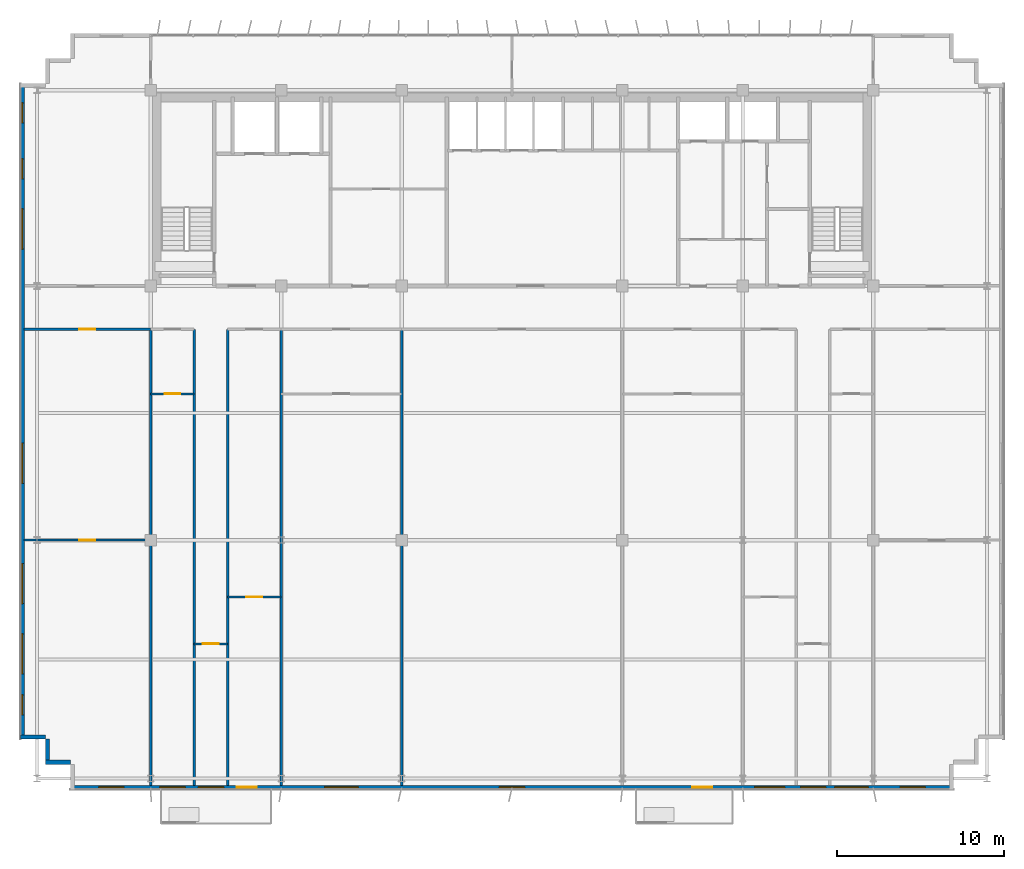
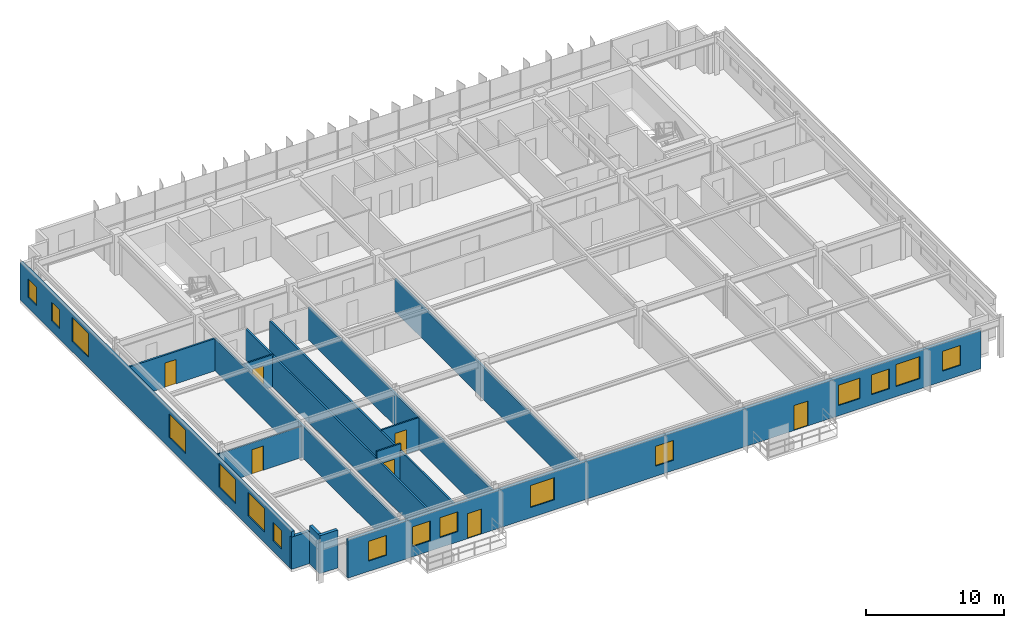
# One storey, part 14 of 20: 16 windows, 15 walls, 7 doors, 23 openings.
"""IFC4 building model written with IfcOpenShell, lengths in metres."""

from ifc_helpers import new_model, si_unit, direction, frame, frame_2d, origin, place, context, subcontext, project, spatial, rectangle, extrude, source, transform, mapped, material, layer, layer_set, type_object, element, fill, save


model = new_model("IFC4")

# Units and contexts
model_context = context("Model", 3, precision=1e-05, world=origin(), true_north=direction((0.0, 1.0)))
body_context = subcontext(model_context, "Body", "Model", "MODEL_VIEW")
ifc_project = project(units=[si_unit("LENGTHUNIT", "METRE"), si_unit("AREAUNIT", "SQUARE_METRE"), si_unit("VOLUMEUNIT", "CUBIC_METRE"), si_unit("PLANEANGLEUNIT", "RADIAN"), si_unit("MASSUNIT", "GRAM", prefix="KILO")], contexts=[model_context])

# Site, building, storey
site_placement = place(None, origin())
site = spatial("IfcSite", under=ifc_project, at=site_placement, CompositionType="ELEMENT")
building_placement = place(site_placement, origin())
building = spatial("IfcBuilding", under=site, at=building_placement, Name="Trelvane Seafront Commons", CompositionType="ELEMENT")
storey_placement = place(building_placement, frame((0.0, 0.0, 142.89990234375)))
storey = spatial("IfcBuildingStorey", under=building, at=storey_placement, Name="L37", CompositionType="ELEMENT", Elevation=142.89990234375)

# Walls
ifc_material_1 = material(Name="Precast concrete C40/50", Category="concrete")
ifc_layer_1 = layer(ifc_material_1, 0.239990234375, Name="ARCH-WALL-EXT240")
ifc_layer_set_1 = layer_set([ifc_layer_1], Name="Precast concrete C40/50")
wall_type_1 = type_object("IfcWallType", Name="ARCH-WALL-EXT240", PredefinedType="SOLIDWALL", material=ifc_layer_set_1)
for number, where, z_axis, x_axis, name in (
    (1, (10.800048828125, 4.919921875, 0.0), (0.0, 0.0, 1.0), (-1.0, 0.0, 0.0), "EW-L37-00718"),
    (2, (9.419921875, 4.800048828125, 0.0), (0.0, 0.0, 1.0), (0.0, 1.0, 0.0), "EW-L37-00719"),
):
    element("IfcWall", number, at=place(storey_placement, frame(where, z_axis=z_axis, x_axis=x_axis)), inside=storey, type_object=wall_type_1, Name=name, PredefinedType="SOLIDWALL", context=body_context, shape_type="SweptSolid", body=[
        extrude(rectangle(XDim=1.5, YDim=0.239990234375, at=frame_2d((0.75, 0.0))), origin(), (0.0, 0.0, 1.0), 3.35009765625),
    ])
wall_1_placement = place(storey_placement, frame((9.300048828125, 6.419921875, 0.0), z_axis=(0.0, 0.0, 1.0), x_axis=(-1.0, 0.0, 0.0)))
element("IfcWall", 3, at=wall_1_placement, inside=storey, type_object=wall_type_1, Name="EW-L37-00720", PredefinedType="SOLIDWALL", context=body_context, shape_type="SweptSolid", body=[
    extrude(rectangle(XDim=1.5, YDim=0.239990234375, at=frame_2d((0.75, 0.0))), origin(), (0.0, 0.0, 1.0), 2.85009765625),
])

# Wall, openings, windows
wall_2_placement = place(storey_placement, frame((7.919921875, 6.300048828125, 0.0), z_axis=(0.0, 0.0, 1.0), x_axis=(0.0, 1.0, 0.0)))
wall_2 = element("IfcWall", 4, at=wall_2_placement, inside=storey, type_object=wall_type_1, Name="EW-L37-00721", PredefinedType="SOLIDWALL", context=body_context, shape_type="SweptSolid", body=[
    extrude(rectangle(XDim=39.199951171875, YDim=0.239990234375, at=frame_2d((19.60009765625, 0.0))), origin(), (0.0, 0.0, 1.0), 3.35009765625),
])
opening_1_placement = place(wall_2_placement, frame((1.449951171875, 0.0, 0.919921875)))
opening_1 = element("IfcOpeningElement", 5, at=opening_1_placement, cuts=wall_2, Name="Opening W05", PredefinedType="OPENING", context=body_context, shape_type="SweptSolid", body=[
    extrude(rectangle(XDim=1.199951171875, YDim=1.64990234375, at=frame_2d((0.60009765625, 0.824951171875))), frame((0.0, 0.1298828125, 0.0), z_axis=(0.0, -1.0, 0.0), x_axis=(1.0, 0.0, 0.0)), (0.0, 0.0, 1.0), 0.260009765625),
])
opening_2_placement = place(wall_2_placement, frame((3.89990234375, 0.0, 0.919921875)))
opening_2 = element("IfcOpeningElement", 6, at=opening_2_placement, cuts=wall_2, Name="Opening W08", PredefinedType="OPENING", context=body_context, shape_type="SweptSolid", body=[
    extrude(rectangle(XDim=2.39990234375, YDim=2.10009765625, at=frame_2d((1.199951171875, 1.050048828125))), frame((0.0, 0.1298828125, 0.0), z_axis=(0.0, -1.0, 0.0), x_axis=(1.0, 0.0, 0.0)), (0.0, 0.0, 1.0), 0.260009765625),
])
opening_3_placement = place(wall_2_placement, frame((8.10009765625, 0.0, 0.919921875)))
opening_3 = element("IfcOpeningElement", 7, at=opening_3_placement, cuts=wall_2, Name="Opening W08", PredefinedType="OPENING", context=body_context, shape_type="SweptSolid", body=[
    extrude(rectangle(XDim=2.39990234375, YDim=2.10009765625, at=frame_2d((1.199951171875, 1.050048828125))), frame((0.0, 0.1298828125, 0.0), z_axis=(0.0, -1.0, 0.0), x_axis=(1.0, 0.0, 0.0)), (0.0, 0.0, 1.0), 0.260009765625),
])
opening_4_placement = place(wall_2_placement, frame((15.300048828125, 0.0, 0.919921875)))
opening_4 = element("IfcOpeningElement", 8, at=opening_4_placement, cuts=wall_2, Name="Opening W08", PredefinedType="OPENING", context=body_context, shape_type="SweptSolid", body=[
    extrude(rectangle(XDim=2.39990234375, YDim=2.10009765625, at=frame_2d((1.199951171875, 1.050048828125))), frame((0.0, 0.1298828125, 0.0), z_axis=(0.0, -1.0, 0.0), x_axis=(1.0, 0.0, 0.0)), (0.0, 0.0, 1.0), 0.260009765625),
])
opening_5_placement = place(wall_2_placement, frame((29.300048828125, 0.0, 0.919921875)))
opening_5 = element("IfcOpeningElement", 9, at=opening_5_placement, cuts=wall_2, Name="Opening W08", PredefinedType="OPENING", context=body_context, shape_type="SweptSolid", body=[
    extrude(rectangle(XDim=2.39990234375, YDim=2.10009765625, at=frame_2d((1.199951171875, 1.050048828125))), frame((0.0, 0.1298828125, 0.0), z_axis=(0.0, -1.0, 0.0), x_axis=(1.0, 0.0, 0.0)), (0.0, 0.0, 1.0), 0.260009765625),
])
opening_6_placement = place(wall_2_placement, frame((33.5, 0.0, 0.919921875)))
opening_6 = element("IfcOpeningElement", 10, at=opening_6_placement, cuts=wall_2, Name="Opening W05", PredefinedType="OPENING", context=body_context, shape_type="SweptSolid", body=[
    extrude(rectangle(XDim=1.199951171875, YDim=1.64990234375, at=frame_2d((0.60009765625, 0.824951171875))), frame((0.0, 0.1298828125, 0.0), z_axis=(0.0, -1.0, 0.0), x_axis=(1.0, 0.0, 0.0)), (0.0, 0.0, 1.0), 0.260009765625),
])
opening_7_placement = place(wall_2_placement, frame((36.85009765625, 0.0, 0.919921875)))
opening_7 = element("IfcOpeningElement", 11, at=opening_7_placement, cuts=wall_2, Name="Opening W05", PredefinedType="OPENING", context=body_context, shape_type="SweptSolid", body=[
    extrude(rectangle(XDim=1.199951171875, YDim=1.64990234375, at=frame_2d((0.60009765625, 0.824951171875))), frame((0.0, 0.1298828125, 0.0), z_axis=(0.0, -1.0, 0.0), x_axis=(1.0, 0.0, 0.0)), (0.0, 0.0, 1.0), 0.260009765625),
])
ifc_material_2 = material(Name="Low-E coastal double glazing", Category="glass")
window_type_1 = type_object("IfcWindowType", Name="ARCH-WIN-W08", PartitioningType="SINGLE_PANEL", PredefinedType="WINDOW", material=ifc_material_2)
shared_shape_1 = source(origin(), body_context, "Body", "SweptSolid", [
    extrude(rectangle(XDim=2.39990234375, YDim=2.10009765625, at=frame_2d((1.199951171875, 1.050048828125))), frame((0.0, 0.030029296875, 0.0), z_axis=(0.0, -1.0, 0.0), x_axis=(1.0, 0.0, 0.0)), (0.0, 0.0, 1.0), 0.06005859375),
])
window_1_placement = place(opening_2_placement, origin())
window_1 = element("IfcWindow", 12, at=window_1_placement, inside=storey, type_object=window_type_1, Name="WIN-L37-EW-00853", OverallHeight=2.10009765625, OverallWidth=2.39990234375, PartitioningType="SINGLE_PANEL", PredefinedType="WINDOW", context=body_context, shape_type="MappedRepresentation", body=[
    mapped(shared_shape_1, transform((0.0, 0.0, 0.0), x_axis=(1.0, 0.0, 0.0), y_axis=(0.0, 1.0, 0.0), z_axis=(0.0, 0.0, 1.0), scale=1.0)),
])
fill(opening_2, window_1)
window_2_placement = place(opening_3_placement, origin())
window_2 = element("IfcWindow", 13, at=window_2_placement, inside=storey, type_object=window_type_1, Name="WIN-L37-EW-00854", OverallHeight=2.10009765625, OverallWidth=2.39990234375, PartitioningType="SINGLE_PANEL", PredefinedType="WINDOW", context=body_context, shape_type="MappedRepresentation", body=[
    mapped(shared_shape_1, transform((0.0, 0.0, 0.0), x_axis=(1.0, 0.0, 0.0), y_axis=(0.0, 1.0, 0.0), z_axis=(0.0, 0.0, 1.0), scale=1.0)),
])
fill(opening_3, window_2)
window_3_placement = place(opening_4_placement, origin())
window_3 = element("IfcWindow", 14, at=window_3_placement, inside=storey, type_object=window_type_1, Name="WIN-L37-EW-00855", OverallHeight=2.10009765625, OverallWidth=2.39990234375, PartitioningType="SINGLE_PANEL", PredefinedType="WINDOW", context=body_context, shape_type="MappedRepresentation", body=[
    mapped(shared_shape_1, transform((0.0, 0.0, 0.0), x_axis=(1.0, 0.0, 0.0), y_axis=(0.0, 1.0, 0.0), z_axis=(0.0, 0.0, 1.0), scale=1.0)),
])
fill(opening_4, window_3)
window_4_placement = place(opening_5_placement, origin())
window_4 = element("IfcWindow", 15, at=window_4_placement, inside=storey, type_object=window_type_1, Name="WIN-L37-EW-00856", OverallHeight=2.10009765625, OverallWidth=2.39990234375, PartitioningType="SINGLE_PANEL", PredefinedType="WINDOW", context=body_context, shape_type="MappedRepresentation", body=[
    mapped(shared_shape_1, transform((0.0, 0.0, 0.0), x_axis=(1.0, 0.0, 0.0), y_axis=(0.0, 1.0, 0.0), z_axis=(0.0, 0.0, 1.0), scale=1.0)),
])
fill(opening_5, window_4)
window_type_2 = type_object("IfcWindowType", Name="ARCH-WIN-W05", PartitioningType="SINGLE_PANEL", PredefinedType="WINDOW", material=ifc_material_2)
shared_shape_2 = source(origin(), body_context, "Body", "SweptSolid", [
    extrude(rectangle(XDim=1.199951171875, YDim=1.64990234375, at=frame_2d((0.60009765625, 0.824951171875))), frame((0.0, 0.030029296875, 0.0), z_axis=(0.0, -1.0, 0.0), x_axis=(1.0, 0.0, 0.0)), (0.0, 0.0, 1.0), 0.06005859375),
])
window_5_placement = place(opening_1_placement, origin())
window_5 = element("IfcWindow", 16, at=window_5_placement, inside=storey, type_object=window_type_2, Name="WIN-L37-EW-00852", OverallHeight=1.64990234375, OverallWidth=1.199951171875, PartitioningType="SINGLE_PANEL", PredefinedType="WINDOW", context=body_context, shape_type="MappedRepresentation", body=[
    mapped(shared_shape_2, transform((0.0, 0.0, 0.0), x_axis=(1.0, 0.0, 0.0), y_axis=(0.0, 1.0, 0.0), z_axis=(0.0, 0.0, 1.0), scale=1.0)),
])
fill(opening_1, window_5)
window_6_placement = place(opening_6_placement, origin())
window_6 = element("IfcWindow", 17, at=window_6_placement, inside=storey, type_object=window_type_2, Name="WIN-L37-EW-00857", OverallHeight=1.64990234375, OverallWidth=1.199951171875, PartitioningType="SINGLE_PANEL", PredefinedType="WINDOW", context=body_context, shape_type="MappedRepresentation", body=[
    mapped(shared_shape_2, transform((0.0, 0.0, 0.0), x_axis=(1.0, 0.0, 0.0), y_axis=(0.0, 1.0, 0.0), z_axis=(0.0, 0.0, 1.0), scale=1.0)),
])
fill(opening_6, window_6)
window_7_placement = place(opening_7_placement, origin())
window_7 = element("IfcWindow", 18, at=window_7_placement, inside=storey, type_object=window_type_2, Name="WIN-L37-EW-00858", OverallHeight=1.64990234375, OverallWidth=1.199951171875, PartitioningType="SINGLE_PANEL", PredefinedType="WINDOW", context=body_context, shape_type="MappedRepresentation", body=[
    mapped(shared_shape_2, transform((0.0, 0.0, 0.0), x_axis=(1.0, 0.0, 0.0), y_axis=(0.0, 1.0, 0.0), z_axis=(0.0, 0.0, 1.0), scale=1.0)),
])
fill(opening_7, window_7)

# Wall, openings, doors, windows
wall_3_placement = place(storey_placement, frame((63.60009765625, 3.419921875, 0.0), z_axis=(0.0, 0.0, 1.0), x_axis=(-1.0, 0.0, 0.0)))
wall_3 = element("IfcWall", 19, at=wall_3_placement, inside=storey, type_object=wall_type_1, Name="EW-L37-00735", PredefinedType="SOLIDWALL", context=body_context, shape_type="SweptSolid", body=[
    extrude(rectangle(XDim=52.800048828125, YDim=0.239990234375, at=frame_2d((26.39990234375, 0.0))), origin(), (0.0, 0.0, 1.0), 3.35009765625),
])
opening_8_placement = place(wall_3_placement, frame((1.695068359375, 0.0, 0.89990234375)))
opening_8 = element("IfcOpeningElement", 20, at=opening_8_placement, cuts=wall_3, Name="Opening W03", PredefinedType="OPENING", context=body_context, shape_type="SweptSolid", body=[
    extrude(rectangle(XDim=1.5, YDim=1.75, at=frame_2d((0.75, 0.875))), frame((0.0, 0.1298828125, 0.0), z_axis=(0.0, -1.0, 0.0), x_axis=(1.0, 0.0, 0.0)), (0.0, 0.0, 1.0), 0.260009765625),
])
opening_9_placement = place(wall_3_placement, frame((5.10009765625, 0.0, 0.89990234375)))
opening_9 = element("IfcOpeningElement", 21, at=opening_9_placement, cuts=wall_3, Name="Opening W06", PredefinedType="OPENING", context=body_context, shape_type="SweptSolid", body=[
    extrude(rectangle(XDim=2.0, YDim=1.949951171875, at=frame_2d((1.0, 0.97509765625))), frame((0.0, 0.1298828125, 0.0), z_axis=(0.0, -1.0, 0.0), x_axis=(1.0, 0.0, 0.0)), (0.0, 0.0, 1.0), 0.260009765625),
])
opening_10_placement = place(wall_3_placement, frame((7.64990234375, 0.0, 0.89990234375)))
opening_10 = element("IfcOpeningElement", 22, at=opening_10_placement, cuts=wall_3, Name="Opening W03", PredefinedType="OPENING", context=body_context, shape_type="SweptSolid", body=[
    extrude(rectangle(XDim=1.5, YDim=1.75, at=frame_2d((0.75, 0.875))), frame((0.0, 0.1298828125, 0.0), z_axis=(0.0, -1.0, 0.0), x_axis=(1.0, 0.0, 0.0)), (0.0, 0.0, 1.0), 0.260009765625),
])
opening_11_placement = place(wall_3_placement, frame((10.10009765625, 0.0, 0.89990234375)))
opening_11 = element("IfcOpeningElement", 23, at=opening_11_placement, cuts=wall_3, Name="Opening W01", PredefinedType="OPENING", context=body_context, shape_type="SweptSolid", body=[
    extrude(rectangle(XDim=1.800048828125, YDim=1.800048828125, at=frame_2d((0.89990234375, 0.89990234375))), frame((0.0, 0.1298828125, 0.0), z_axis=(0.0, -1.0, 0.0), x_axis=(1.0, 0.0, 0.0)), (0.0, 0.0, 1.0), 0.260009765625),
])
opening_12_placement = place(wall_3_placement, frame((14.4169921875, 0.0, 0.0)))
opening_12 = element("IfcOpeningElement", 24, at=opening_12_placement, cuts=wall_3, Name="Opening BD-L37-87", PredefinedType="OPENING", context=body_context, shape_type="SweptSolid", body=[
    extrude(rectangle(XDim=1.199951171875, YDim=2.199951171875, at=frame_2d((0.60009765625, 1.10009765625))), frame((0.0, 0.1298828125, 0.0), z_axis=(0.0, -1.0, 0.0), x_axis=(1.0, 0.0, 0.0)), (0.0, 0.0, 1.0), 0.260009765625),
])
opening_13_placement = place(wall_3_placement, frame((25.64990234375, 0.0, 0.89990234375)))
opening_13 = element("IfcOpeningElement", 25, at=opening_13_placement, cuts=wall_3, Name="Opening W03", PredefinedType="OPENING", context=body_context, shape_type="SweptSolid", body=[
    extrude(rectangle(XDim=1.5, YDim=1.75, at=frame_2d((0.75, 0.875))), frame((0.0, 0.1298828125, 0.0), z_axis=(0.0, -1.0, 0.0), x_axis=(1.0, 0.0, 0.0)), (0.0, 0.0, 1.0), 0.260009765625),
])
opening_14_placement = place(wall_3_placement, frame((35.60009765625, 0.0, 0.89990234375)))
opening_14 = element("IfcOpeningElement", 26, at=opening_14_placement, cuts=wall_3, Name="Opening W06", PredefinedType="OPENING", context=body_context, shape_type="SweptSolid", body=[
    extrude(rectangle(XDim=2.0, YDim=1.949951171875, at=frame_2d((1.0, 0.97509765625))), frame((0.0, 0.1298828125, 0.0), z_axis=(0.0, -1.0, 0.0), x_axis=(1.0, 0.0, 0.0)), (0.0, 0.0, 1.0), 0.260009765625),
])
opening_15_placement = place(wall_3_placement, frame((41.656005859375, 0.0, 0.0)))
opening_15 = element("IfcOpeningElement", 27, at=opening_15_placement, cuts=wall_3, Name="Opening BD-L37-88", PredefinedType="OPENING", context=body_context, shape_type="SweptSolid", body=[
    extrude(rectangle(XDim=1.199951171875, YDim=2.199951171875, at=frame_2d((0.60009765625, 1.10009765625))), frame((0.0, 0.1298828125, 0.0), z_axis=(0.0, -1.0, 0.0), x_axis=(1.0, 0.0, 0.0)), (0.0, 0.0, 1.0), 0.260009765625),
])
opening_16_placement = place(wall_3_placement, frame((43.64990234375, 0.0, 0.89990234375)))
opening_16 = element("IfcOpeningElement", 28, at=opening_16_placement, cuts=wall_3, Name="Opening W03", PredefinedType="OPENING", context=body_context, shape_type="SweptSolid", body=[
    extrude(rectangle(XDim=1.5, YDim=1.75, at=frame_2d((0.75, 0.875))), frame((0.0, 0.1298828125, 0.0), z_axis=(0.0, -1.0, 0.0), x_axis=(1.0, 0.0, 0.0)), (0.0, 0.0, 1.0), 0.260009765625),
])
opening_17_placement = place(wall_3_placement, frame((45.949951171875, 0.0, 0.89990234375)))
opening_17 = element("IfcOpeningElement", 29, at=opening_17_placement, cuts=wall_3, Name="Opening W03", PredefinedType="OPENING", context=body_context, shape_type="SweptSolid", body=[
    extrude(rectangle(XDim=1.5, YDim=1.75, at=frame_2d((0.75, 0.875))), frame((0.0, 0.1298828125, 0.0), z_axis=(0.0, -1.0, 0.0), x_axis=(1.0, 0.0, 0.0)), (0.0, 0.0, 1.0), 0.260009765625),
])
opening_18_placement = place(wall_3_placement, frame((49.60498046875, 0.0, 0.89990234375)))
opening_18 = element("IfcOpeningElement", 30, at=opening_18_placement, cuts=wall_3, Name="Opening W03", PredefinedType="OPENING", context=body_context, shape_type="SweptSolid", body=[
    extrude(rectangle(XDim=1.5, YDim=1.75, at=frame_2d((0.75, 0.875))), frame((0.0, 0.1298828125, 0.0), z_axis=(0.0, -1.0, 0.0), x_axis=(1.0, 0.0, 0.0)), (0.0, 0.0, 1.0), 0.260009765625),
])
ifc_material_3 = material(Name="Powder-coated aluminium frame", Category="aluminium")
door_type_1 = type_object("IfcDoorType", Name="ARCH-DR-BAL1200", OperationType="NOTDEFINED", PredefinedType="DOOR", material=ifc_material_3)
shared_shape_3 = source(origin(), body_context, "Body", "SweptSolid", [
    extrude(rectangle(XDim=1.199951171875, YDim=2.199951171875, at=frame_2d((0.60009765625, 1.10009765625))), frame((0.0, 0.02490234375, 0.0), z_axis=(0.0, -1.0, 0.0), x_axis=(1.0, 0.0, 0.0)), (0.0, 0.0, 1.0), 0.050048828125),
])
door_1_placement = place(opening_12_placement, origin())
door_1 = element("IfcDoor", 31, at=door_1_placement, inside=storey, type_object=door_type_1, Name="L37 Balcony Terrace Access Door", OperationType="SINGLE_SWING_LEFT", OverallHeight=2.199951171875, OverallWidth=1.199951171875, PredefinedType="DOOR", context=body_context, shape_type="MappedRepresentation", body=[
    mapped(shared_shape_3, transform((0.0, 0.0, 0.0), x_axis=(1.0, 0.0, 0.0), y_axis=(0.0, 1.0, 0.0), z_axis=(0.0, 0.0, 1.0), scale=1.0)),
])
fill(opening_12, door_1)
door_2_placement = place(opening_15_placement, origin())
door_2 = element("IfcDoor", 32, at=door_2_placement, inside=storey, type_object=door_type_1, Name="L37 Balcony Terrace Access Door", OperationType="SINGLE_SWING_LEFT", OverallHeight=2.199951171875, OverallWidth=1.199951171875, PredefinedType="DOOR", context=body_context, shape_type="MappedRepresentation", body=[
    mapped(shared_shape_3, transform((0.0, 0.0, 0.0), x_axis=(1.0, 0.0, 0.0), y_axis=(0.0, 1.0, 0.0), z_axis=(0.0, 0.0, 1.0), scale=1.0)),
])
fill(opening_15, door_2)
window_type_3 = type_object("IfcWindowType", Name="ARCH-WIN-W03", PartitioningType="SINGLE_PANEL", PredefinedType="WINDOW", material=ifc_material_2)
shared_shape_4 = source(origin(), body_context, "Body", "SweptSolid", [
    extrude(rectangle(XDim=1.5, YDim=1.75, at=frame_2d((0.75, 0.875))), frame((0.0, 0.030029296875, 0.0), z_axis=(0.0, -1.0, 0.0), x_axis=(1.0, 0.0, 0.0)), (0.0, 0.0, 1.0), 0.06005859375),
])
window_8_placement = place(opening_8_placement, origin())
window_8 = element("IfcWindow", 33, at=window_8_placement, inside=storey, type_object=window_type_3, Name="WIN-L37-00866", OverallHeight=1.75, OverallWidth=1.5, PartitioningType="SINGLE_PANEL", PredefinedType="WINDOW", context=body_context, shape_type="MappedRepresentation", body=[
    mapped(shared_shape_4, transform((0.0, 0.0, 0.0), x_axis=(1.0, 0.0, 0.0), y_axis=(0.0, 1.0, 0.0), z_axis=(0.0, 0.0, 1.0), scale=1.0)),
])
fill(opening_8, window_8)
window_9_placement = place(opening_10_placement, origin())
window_9 = element("IfcWindow", 34, at=window_9_placement, inside=storey, type_object=window_type_3, Name="WIN-L37-00868", OverallHeight=1.75, OverallWidth=1.5, PartitioningType="SINGLE_PANEL", PredefinedType="WINDOW", context=body_context, shape_type="MappedRepresentation", body=[
    mapped(shared_shape_4, transform((0.0, 0.0, 0.0), x_axis=(1.0, 0.0, 0.0), y_axis=(0.0, 1.0, 0.0), z_axis=(0.0, 0.0, 1.0), scale=1.0)),
])
fill(opening_10, window_9)
window_10_placement = place(opening_13_placement, origin())
window_10 = element("IfcWindow", 35, at=window_10_placement, inside=storey, type_object=window_type_3, Name="WIN-L37-00870", OverallHeight=1.75, OverallWidth=1.5, PartitioningType="SINGLE_PANEL", PredefinedType="WINDOW", context=body_context, shape_type="MappedRepresentation", body=[
    mapped(shared_shape_4, transform((0.0, 0.0, 0.0), x_axis=(1.0, 0.0, 0.0), y_axis=(0.0, 1.0, 0.0), z_axis=(0.0, 0.0, 1.0), scale=1.0)),
])
fill(opening_13, window_10)
window_11_placement = place(opening_16_placement, origin())
window_11 = element("IfcWindow", 36, at=window_11_placement, inside=storey, type_object=window_type_3, Name="WIN-L37-00872", OverallHeight=1.75, OverallWidth=1.5, PartitioningType="SINGLE_PANEL", PredefinedType="WINDOW", context=body_context, shape_type="MappedRepresentation", body=[
    mapped(shared_shape_4, transform((0.0, 0.0, 0.0), x_axis=(1.0, 0.0, 0.0), y_axis=(0.0, 1.0, 0.0), z_axis=(0.0, 0.0, 1.0), scale=1.0)),
])
fill(opening_16, window_11)
window_12_placement = place(opening_17_placement, origin())
window_12 = element("IfcWindow", 37, at=window_12_placement, inside=storey, type_object=window_type_3, Name="WIN-L37-00873", OverallHeight=1.75, OverallWidth=1.5, PartitioningType="SINGLE_PANEL", PredefinedType="WINDOW", context=body_context, shape_type="MappedRepresentation", body=[
    mapped(shared_shape_4, transform((0.0, 0.0, 0.0), x_axis=(1.0, 0.0, 0.0), y_axis=(0.0, 1.0, 0.0), z_axis=(0.0, 0.0, 1.0), scale=1.0)),
])
fill(opening_17, window_12)
window_13_placement = place(opening_18_placement, origin())
window_13 = element("IfcWindow", 38, at=window_13_placement, inside=storey, type_object=window_type_3, Name="WIN-L37-00874", OverallHeight=1.75, OverallWidth=1.5, PartitioningType="SINGLE_PANEL", PredefinedType="WINDOW", context=body_context, shape_type="MappedRepresentation", body=[
    mapped(shared_shape_4, transform((0.0, 0.0, 0.0), x_axis=(1.0, 0.0, 0.0), y_axis=(0.0, 1.0, 0.0), z_axis=(0.0, 0.0, 1.0), scale=1.0)),
])
fill(opening_18, window_13)
window_type_4 = type_object("IfcWindowType", Name="ARCH-WIN-W06", PartitioningType="SINGLE_PANEL", PredefinedType="WINDOW", material=ifc_material_2)
shared_shape_5 = source(origin(), body_context, "Body", "SweptSolid", [
    extrude(rectangle(XDim=2.0, YDim=1.949951171875, at=frame_2d((1.0, 0.97509765625))), frame((0.0, 0.030029296875, 0.0), z_axis=(0.0, -1.0, 0.0), x_axis=(1.0, 0.0, 0.0)), (0.0, 0.0, 1.0), 0.06005859375),
])
window_14_placement = place(opening_9_placement, origin())
window_14 = element("IfcWindow", 39, at=window_14_placement, inside=storey, type_object=window_type_4, Name="WIN-L37-00867", OverallHeight=1.949951171875, OverallWidth=2.0, PartitioningType="SINGLE_PANEL", PredefinedType="WINDOW", context=body_context, shape_type="MappedRepresentation", body=[
    mapped(shared_shape_5, transform((0.0, 0.0, 0.0), x_axis=(1.0, 0.0, 0.0), y_axis=(0.0, 1.0, 0.0), z_axis=(0.0, 0.0, 1.0), scale=1.0)),
])
fill(opening_9, window_14)
window_15_placement = place(opening_14_placement, origin())
window_15 = element("IfcWindow", 40, at=window_15_placement, inside=storey, type_object=window_type_4, Name="WIN-L37-00871", OverallHeight=1.949951171875, OverallWidth=2.0, PartitioningType="SINGLE_PANEL", PredefinedType="WINDOW", context=body_context, shape_type="MappedRepresentation", body=[
    mapped(shared_shape_5, transform((0.0, 0.0, 0.0), x_axis=(1.0, 0.0, 0.0), y_axis=(0.0, 1.0, 0.0), z_axis=(0.0, 0.0, 1.0), scale=1.0)),
])
fill(opening_14, window_15)
window_type_5 = type_object("IfcWindowType", Name="ARCH-WIN-W01", PartitioningType="SINGLE_PANEL", PredefinedType="WINDOW", material=ifc_material_2)
shared_shape_6 = source(origin(), body_context, "Body", "SweptSolid", [
    extrude(rectangle(XDim=1.800048828125, YDim=1.800048828125, at=frame_2d((0.89990234375, 0.89990234375))), frame((0.0, 0.030029296875, 0.0), z_axis=(0.0, -1.0, 0.0), x_axis=(1.0, 0.0, 0.0)), (0.0, 0.0, 1.0), 0.06005859375),
])
window_16_placement = place(opening_11_placement, origin())
window_16 = element("IfcWindow", 41, at=window_16_placement, inside=storey, type_object=window_type_5, Name="WIN-L37-00869", OverallHeight=1.800048828125, OverallWidth=1.800048828125, PartitioningType="SINGLE_PANEL", PredefinedType="WINDOW", context=body_context, shape_type="MappedRepresentation", body=[
    mapped(shared_shape_6, transform((0.0, 0.0, 0.0), x_axis=(1.0, 0.0, 0.0), y_axis=(0.0, 1.0, 0.0), z_axis=(0.0, 0.0, 1.0), scale=1.0)),
])
fill(opening_11, window_16)

# Wall, opening, door
ifc_material_4 = material(Name="Gypsum Drywall Acoustic Partition")
ifc_layer_2 = layer(ifc_material_4, 0.1201171875, Name="ARCH-WALL-PART120")
ifc_layer_set_2 = layer_set([ifc_layer_2], Name="Gypsum Drywall Acoustic Partition")
wall_type_2 = type_object("IfcWallType", Name="ARCH-WALL-PART120", PredefinedType="PARTITIONING", material=ifc_layer_set_2)
wall_4_placement = place(storey_placement, frame((8.02490234375, 18.199951171875, 0.0), z_axis=(0.0, 0.0, 1.0), x_axis=(1.0, 0.0, 0.0)))
wall_4 = element("IfcWall", 42, at=wall_4_placement, inside=storey, type_object=wall_type_2, Name="W-L37-U1-DIV-048", PredefinedType="PARTITIONING", context=body_context, shape_type="SweptSolid", body=[
    extrude(rectangle(XDim=7.5751953125, YDim=0.1201171875, at=frame_2d((3.78759765625, 0.0))), origin(), (0.0, 0.0, 1.0), 2.75),
])
opening_19_placement = place(wall_4_placement, frame((3.31201171875, 0.0, 0.0)))
opening_19 = element("IfcOpeningElement", 43, at=opening_19_placement, cuts=wall_4, Name="Opening D-L37-26", PredefinedType="OPENING", context=body_context, shape_type="SweptSolid", body=[
    extrude(rectangle(XDim=0.949951171875, YDim=2.14990234375, at=frame_2d((0.47509765625, 1.074951171875))), frame((0.0, 0.070068359375, 0.0), z_axis=(0.0, -1.0, 0.0), x_axis=(1.0, 0.0, 0.0)), (0.0, 0.0, 1.0), 0.14013671875),
])
ifc_material_5 = material(Name="Acoustic timber door leaf", Category="wood")
door_type_2 = type_object("IfcDoorType", Name="ARCH-DR-INT950", OperationType="NOTDEFINED", PredefinedType="DOOR", material=ifc_material_5)
shared_shape_7 = source(origin(), body_context, "Body", "SweptSolid", [
    extrude(rectangle(XDim=0.949951171875, YDim=2.14990234375, at=frame_2d((0.47509765625, 1.074951171875))), frame((0.0, 0.02490234375, 0.0), z_axis=(0.0, -1.0, 0.0), x_axis=(1.0, 0.0, 0.0)), (0.0, 0.0, 1.0), 0.050048828125),
])
door_3_placement = place(opening_19_placement, origin())
door_3 = element("IfcDoor", 44, at=door_3_placement, inside=storey, type_object=door_type_2, Name="L37 Door 26", OperationType="SINGLE_SWING_RIGHT", OverallHeight=2.14990234375, OverallWidth=0.949951171875, PredefinedType="DOOR", context=body_context, shape_type="MappedRepresentation", body=[
    mapped(shared_shape_7, transform((0.0, 0.0, 0.0), x_axis=(1.0, 0.0, 0.0), y_axis=(0.0, 1.0, 0.0), z_axis=(0.0, 0.0, 1.0), scale=1.0)),
])
fill(opening_19, door_3)

wall_5_placement = place(storey_placement, frame((15.60009765625, 26.949951171875, 0.0), z_axis=(0.0, 0.0, 1.0), x_axis=(1.0, 0.0, 0.0)))
wall_5 = element("IfcWall", 45, at=wall_5_placement, inside=storey, type_object=wall_type_2, Name="W-L37-U2-DIV-050", PredefinedType="PARTITIONING", context=body_context, shape_type="SweptSolid", body=[
    extrude(rectangle(XDim=2.599853515625, YDim=0.1201171875, at=frame_2d((1.2998046875, 0.0))), origin(), (0.0, 0.0, 1.0), 2.85009765625),
])
opening_20_placement = place(wall_5_placement, frame((0.824951171875, 0.0, 0.0)))
opening_20 = element("IfcOpeningElement", 46, at=opening_20_placement, cuts=wall_5, Name="Opening D-L37-28", PredefinedType="OPENING", context=body_context, shape_type="SweptSolid", body=[
    extrude(rectangle(XDim=0.949951171875, YDim=2.14990234375, at=frame_2d((0.47509765625, 1.074951171875))), frame((0.0, 0.070068359375, 0.0), z_axis=(0.0, -1.0, 0.0), x_axis=(1.0, 0.0, 0.0)), (0.0, 0.0, 1.0), 0.14013671875),
])
door_4_placement = place(opening_20_placement, origin())
door_4 = element("IfcDoor", 47, at=door_4_placement, inside=storey, type_object=door_type_2, Name="L37 Door 28", OperationType="SINGLE_SWING_RIGHT", OverallHeight=2.14990234375, OverallWidth=0.949951171875, PredefinedType="DOOR", context=body_context, shape_type="MappedRepresentation", body=[
    mapped(shared_shape_7, transform((0.0, 0.0, 0.0), x_axis=(1.0, 0.0, 0.0), y_axis=(0.0, 1.0, 0.0), z_axis=(0.0, 0.0, 1.0), scale=1.0)),
])
fill(opening_20, door_4)

wall_6_placement = place(storey_placement, frame((18.199951171875, 12.0, 0.0), z_axis=(0.0, 0.0, 1.0), x_axis=(1.0, 0.0, 0.0)))
wall_6 = element("IfcWall", 48, at=wall_6_placement, inside=storey, type_object=wall_type_2, Name="W-L37-ARM-END-3-053", PredefinedType="PARTITIONING", context=body_context, shape_type="SweptSolid", body=[
    extrude(rectangle(XDim=2.0, YDim=0.1201171875, at=frame_2d((1.0, 0.0))), origin(), (0.0, 0.0, 1.0), 3.35009765625),
])
opening_21_placement = place(wall_6_placement, frame((0.52001953125, 0.0, 0.0)))
opening_21 = element("IfcOpeningElement", 49, at=opening_21_placement, cuts=wall_6, Name="Opening D-L37-29", PredefinedType="OPENING", context=body_context, shape_type="SweptSolid", body=[
    extrude(rectangle(XDim=0.949951171875, YDim=2.14990234375, at=frame_2d((0.47509765625, 1.074951171875))), frame((0.0, 0.070068359375, 0.0), z_axis=(0.0, -1.0, 0.0), x_axis=(1.0, 0.0, 0.0)), (0.0, 0.0, 1.0), 0.14013671875),
])
door_5_placement = place(opening_21_placement, origin())
door_5 = element("IfcDoor", 50, at=door_5_placement, inside=storey, type_object=door_type_2, Name="L37 Door 29", OperationType="SINGLE_SWING_LEFT", OverallHeight=2.14990234375, OverallWidth=0.949951171875, PredefinedType="DOOR", context=body_context, shape_type="MappedRepresentation", body=[
    mapped(shared_shape_7, transform((0.0, 0.0, 0.0), x_axis=(1.0, 0.0, 0.0), y_axis=(0.0, 1.0, 0.0), z_axis=(0.0, 0.0, 1.0), scale=1.0)),
])
fill(opening_21, door_5)

wall_7_placement = place(storey_placement, frame((20.199951171875, 14.800048828125, 0.0), z_axis=(0.0, 0.0, 1.0), x_axis=(1.0, 0.0, 0.0)))
wall_7 = element("IfcWall", 51, at=wall_7_placement, inside=storey, type_object=wall_type_2, Name="W-L37-U4-DIV-055", PredefinedType="PARTITIONING", context=body_context, shape_type="SweptSolid", body=[
    extrude(rectangle(XDim=3.199951171875, YDim=0.1201171875, at=frame_2d((1.60009765625, 0.0))), origin(), (0.0, 0.0, 1.0), 2.85009765625),
])
opening_22_placement = place(wall_7_placement, frame((1.125, 0.0, 0.0)))
opening_22 = element("IfcOpeningElement", 52, at=opening_22_placement, cuts=wall_7, Name="Opening D-L37-31", PredefinedType="OPENING", context=body_context, shape_type="SweptSolid", body=[
    extrude(rectangle(XDim=0.949951171875, YDim=2.14990234375, at=frame_2d((0.47509765625, 1.074951171875))), frame((0.0, 0.070068359375, 0.0), z_axis=(0.0, -1.0, 0.0), x_axis=(1.0, 0.0, 0.0)), (0.0, 0.0, 1.0), 0.14013671875),
])
door_6_placement = place(opening_22_placement, origin())
door_6 = element("IfcDoor", 53, at=door_6_placement, inside=storey, type_object=door_type_2, Name="L37 Door 31", OperationType="SINGLE_SWING_LEFT", OverallHeight=2.14990234375, OverallWidth=0.949951171875, PredefinedType="DOOR", context=body_context, shape_type="MappedRepresentation", body=[
    mapped(shared_shape_7, transform((0.0, 0.0, 0.0), x_axis=(1.0, 0.0, 0.0), y_axis=(0.0, 1.0, 0.0), z_axis=(0.0, 0.0, 1.0), scale=1.0)),
])
fill(opening_22, door_6)

# Walls
ifc_layer_3 = layer(ifc_material_4, 0.14990234375, Name="ARCH-WALL-PART150")
ifc_layer_set_3 = layer_set([ifc_layer_3], Name="Gypsum Drywall Acoustic Partition")
wall_type_3 = type_object("IfcWallType", Name="ARCH-WALL-PART150", PredefinedType="PARTITIONING", material=ifc_layer_set_3)
for number, where, z_axis, x_axis, name in (
    (54, (15.60009765625, 3.52490234375, 0.0), (0.0, 0.0, 1.0), (0.0, 1.0, 0.0), "W-L37-PW-1-041"),
    (55, (23.39990234375, 3.52490234375, 0.0), (0.0, 0.0, 1.0), (0.0, 1.0, 0.0), "W-L37-PW-4-042"),
    (56, (30.60009765625, 3.52490234375, 0.0), (0.0, 0.0, 1.0), (0.0, 1.0, 0.0), "W-L37-PW-5-043"),
):
    element("IfcWall", number, at=place(storey_placement, frame(where, z_axis=z_axis, x_axis=x_axis)), inside=storey, type_object=wall_type_3, Name=name, PredefinedType="PARTITIONING", context=body_context, shape_type="SweptSolid", body=[
        extrude(rectangle(XDim=27.275146484375, YDim=0.14990234375, at=frame_2d((13.6376953125, 0.0))), origin(), (0.0, 0.0, 1.0), 2.85009765625),
    ])

# Wall, opening, door
wall_8_placement = place(storey_placement, frame((8.02490234375, 30.800048828125, 0.0), z_axis=(0.0, 0.0, 1.0), x_axis=(1.0, 0.0, 0.0)))
wall_8 = element("IfcWall", 57, at=wall_8_placement, inside=storey, type_object=wall_type_3, Name="W-L37-CS-BAY-1-047", PredefinedType="PARTITIONING", context=body_context, shape_type="SweptSolid", body=[
    extrude(rectangle(XDim=7.5751953125, YDim=0.14990234375, at=frame_2d((3.78759765625, 0.0))), origin(), (0.0, 0.0, 1.0), 2.85009765625),
])
opening_23_placement = place(wall_8_placement, frame((3.31201171875, 0.0, 0.0)))
opening_23 = element("IfcOpeningElement", 58, at=opening_23_placement, cuts=wall_8, Name="Opening FD-L37-25", PredefinedType="OPENING", context=body_context, shape_type="SweptSolid", body=[
    extrude(rectangle(XDim=0.949951171875, YDim=2.14990234375, at=frame_2d((0.47509765625, 1.074951171875))), frame((0.0, 0.0849609375, 0.0), z_axis=(0.0, -1.0, 0.0), x_axis=(1.0, 0.0, 0.0)), (0.0, 0.0, 1.0), 0.169921875),
])
door_type_3 = type_object("IfcDoorType", Name="ARCH-DR-FD60-950", OperationType="NOTDEFINED", PredefinedType="DOOR", material=ifc_material_3)
door_7_placement = place(opening_23_placement, origin())
door_7 = element("IfcDoor", 59, at=door_7_placement, inside=storey, type_object=door_type_3, Name="L37 Bay 01 Entrance Door", OperationType="SINGLE_SWING_LEFT", OverallHeight=2.14990234375, OverallWidth=0.949951171875, PredefinedType="DOOR", context=body_context, shape_type="MappedRepresentation", body=[
    mapped(shared_shape_7, transform((0.0, 0.0, 0.0), x_axis=(1.0, 0.0, 0.0), y_axis=(0.0, 1.0, 0.0), z_axis=(0.0, 0.0, 1.0), scale=1.0)),
])
fill(opening_23, door_7)

# Walls
for number, where, z_axis, x_axis, name in (
    (60, (18.199951171875, 3.52490234375, 0.0), (0.0, 0.0, 1.0), (0.0, 1.0, 0.0), "W-L37-ARM-W-3-051"),
    (61, (20.199951171875, 3.52490234375, 0.0), (0.0, 0.0, 1.0), (0.0, 1.0, 0.0), "W-L37-ARM-E-3-052"),
):
    element("IfcWall", number, at=place(storey_placement, frame(where, z_axis=z_axis, x_axis=x_axis)), inside=storey, type_object=wall_type_3, Name=name, PredefinedType="PARTITIONING", context=body_context, shape_type="SweptSolid", body=[
        extrude(rectangle(XDim=27.275146484375, YDim=0.14990234375, at=frame_2d((13.6376953125, 0.0))), origin(), (0.0, 0.0, 1.0), 2.75),
    ])

save(model, "model.ifc")
